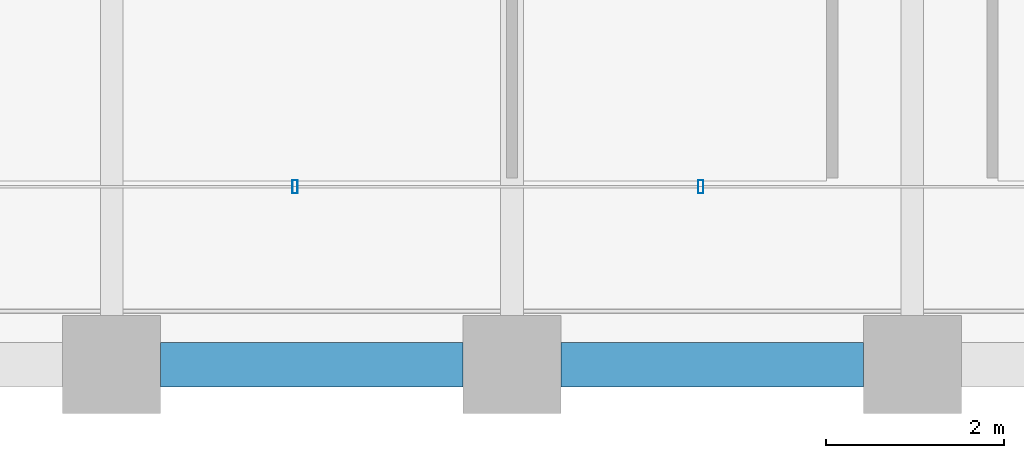
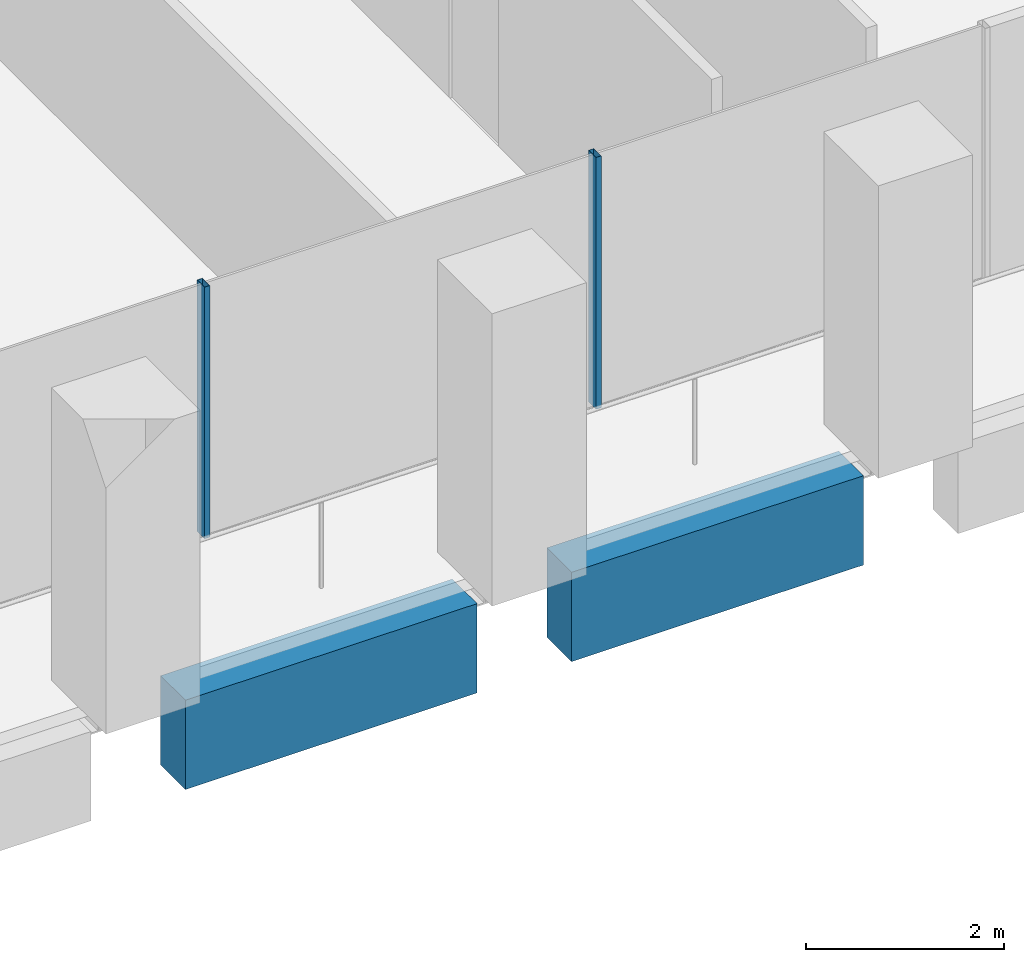
# One storey, part 3 of 56: 2 beams, 2 members, 1 element without a shape of its own.
"""IFC4 building model written with IfcOpenShell, lengths in metres."""

from ifc_helpers import new_model, si_unit, direction, frame, origin, origin_2d, place, context, subcontext, project, spatial, rectangle, hollow_rectangle, extrude, material, material_profile, profile_set, type_object, element, aggregate, save


model = new_model("IFC4")

# Units and contexts
model_context = context("Model", 3, precision=1e-05, world=origin(), true_north=direction((0.0, 1.0)))
body_context = subcontext(model_context, "Body", "Model", "MODEL_VIEW")
ifc_project = project(units=[si_unit("LENGTHUNIT", "METRE"), si_unit("AREAUNIT", "SQUARE_METRE"), si_unit("VOLUMEUNIT", "CUBIC_METRE"), si_unit("PLANEANGLEUNIT", "RADIAN"), si_unit("MASSUNIT", "GRAM", prefix="KILO")], contexts=[model_context])

# Site, building, storey
site_placement = place(None, origin())
site = spatial("IfcSite", under=ifc_project, at=site_placement, CompositionType="ELEMENT")
building_placement = place(site_placement, origin())
building = spatial("IfcBuilding", under=site, at=building_placement, Name="Altepetl Exchange Towers", CompositionType="ELEMENT")
storey_placement = place(building_placement, frame((0.0, 0.0, 69.0)))
storey = spatial("IfcBuildingStorey", under=building, at=storey_placement, Name="L16", CompositionType="ELEMENT", Elevation=69.0)

# Curtain wall, members
ifc_material_1 = material(Name="Aluminium 6063-T6 glazing", Category="aluminium")
curtain_wall_type = type_object("IfcCurtainWallType", Name="Loggia glazing system", PredefinedType="NOTDEFINED", material=ifc_material_1)
curtain_wall_placement = place(storey_placement, origin())
curtain_wall = element("IfcCurtainWall", 1, at=curtain_wall_placement, inside=storey, type_object=curtain_wall_type, Name="CW1 run", PredefinedType="NOTDEFINED")
ifc_material_2 = material(Name="Aluminium 6063-T6", Category="aluminium")
ifc_material_profile_1 = material_profile(ifc_material_2, hollow_rectangle(XDim=0.06005859375, YDim=0.14990234375, WallThickness=0.0029296875, at=origin_2d()), Name="Mullion 60x150 aluminium")
ifc_profile_set_1 = profile_set([ifc_material_profile_1], Name="Aluminium 6063-T6")
member_type = type_object("IfcMemberType", Name="Mullion 60x150 aluminium", PredefinedType="MULLION", material=ifc_profile_set_1)
member_1_placement = place(storey_placement, frame((38.060791015625, 29.0, 0.0)))
member_1 = element("IfcMember", 2, at=member_1_placement, type_object=member_type, Name="MU1 mullion", PredefinedType="MULLION", context=body_context, shape_type="SweptSolid", body=[
    extrude(hollow_rectangle(XDim=0.06005859375, YDim=0.14990234375, WallThickness=0.0029296875, at=origin_2d()), origin(), (0.0, 0.0, 1.0), 3.10009765625),
])
member_2_placement = place(storey_placement, frame((42.621337890625, 29.0, 0.0)))
member_2 = element("IfcMember", 3, at=member_2_placement, type_object=member_type, Name="MU1 mullion", PredefinedType="MULLION", context=body_context, shape_type="SweptSolid", body=[
    extrude(hollow_rectangle(XDim=0.06005859375, YDim=0.14990234375, WallThickness=0.0029296875, at=origin_2d()), origin(), (0.0, 0.0, 1.0), 3.10009765625),
])
aggregate(curtain_wall, [member_1, member_2])

# Beams
ifc_material_3 = material(Name="Concrete C50/60 precast with cantera blanca facing", Category="concrete")
ifc_material_profile_2 = material_profile(ifc_material_3, rectangle(XDim=0.5, YDim=1.10009765625, at=origin_2d()), Name="500 x 1100")
ifc_profile_set_2 = profile_set([ifc_material_profile_2], Name="Concrete C50/60 precast with cantera blanca facing")
beam_type = type_object("IfcBeamType", Name="Spandrel beam 500x1100 cantera blanca", PredefinedType="SPANDREL", material=ifc_profile_set_2)
for number, where, z_axis, x_axis, name in (
    (4, (36.550048828125, 27.0, -0.699951171875), (1.0, 0.0, 0.0), (0.0, 1.0, 0.0), "sp:A:L16:001"),
    (5, (41.050048828125, 27.0, -0.699951171875), (1.0, 0.0, 0.0), (0.0, 1.0, 0.0), "sp:A:L16:002"),
):
    element("IfcBeam", number, at=place(storey_placement, frame(where, z_axis=z_axis, x_axis=x_axis)), inside=storey, type_object=beam_type, Name=name, PredefinedType="SPANDREL", context=body_context, shape_type="SweptSolid", body=[
        extrude(rectangle(XDim=0.5, YDim=1.10009765625, at=origin_2d()), origin(), (0.0, 0.0, 1.0), 3.39990234375),
    ])

save(model, "model.ifc")
